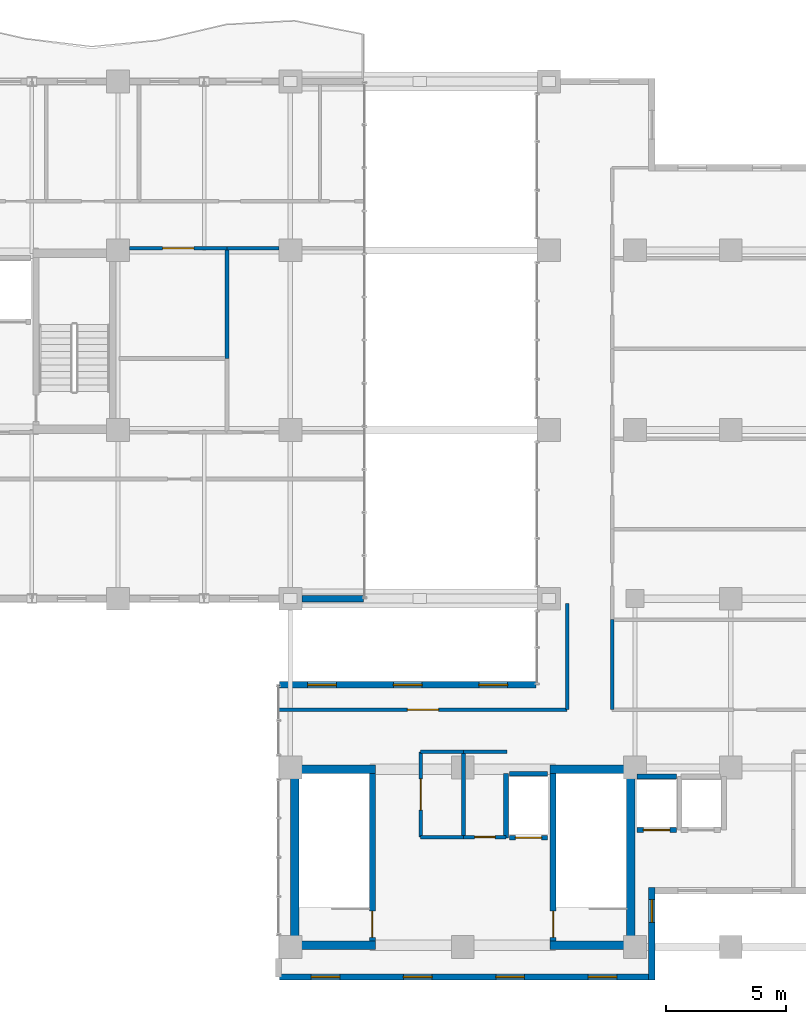
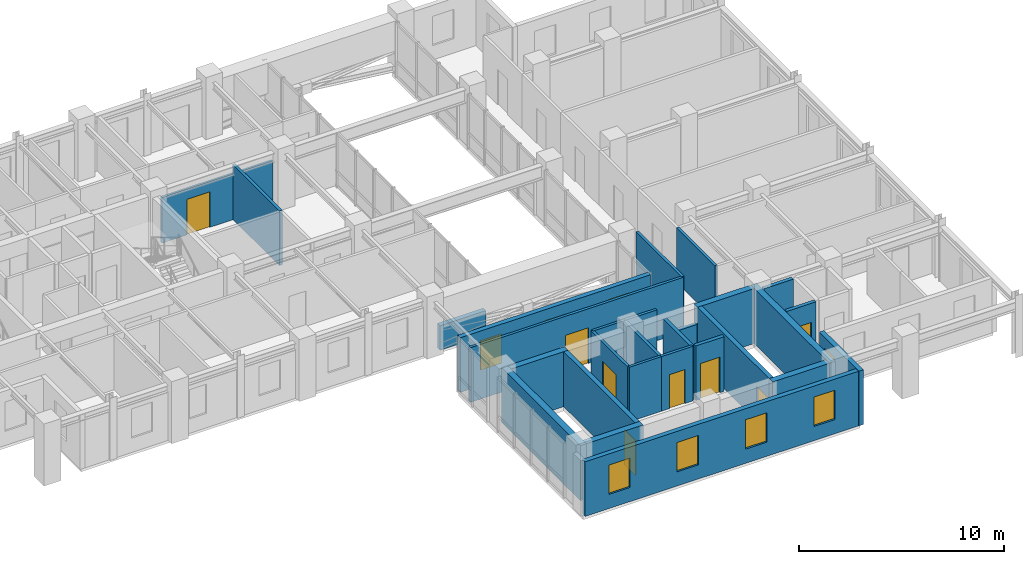
# One storey, part 18 of 23: 29 walls, 8 doors, 8 windows, 16 openings.
"""IFC4 building model written with IfcOpenShell, lengths in metres."""

from ifc_helpers import new_model, si_unit, direction, frame, frame_2d, origin, place, context, subcontext, project, spatial, rectangle, extrude, material, layer, layer_set, type_object, element, fill, save


model = new_model("IFC4")

# Units and contexts
model_context = context("Model", 3, precision=1e-05, world=origin(), true_north=direction((0.0, 1.0)))
body_context = subcontext(model_context, "Body", "Model", "MODEL_VIEW")
ifc_project = project(units=[si_unit("LENGTHUNIT", "METRE"), si_unit("AREAUNIT", "SQUARE_METRE"), si_unit("VOLUMEUNIT", "CUBIC_METRE"), si_unit("PLANEANGLEUNIT", "RADIAN"), si_unit("MASSUNIT", "GRAM", prefix="KILO")], contexts=[model_context])

# Site, building, storey
site_placement = place(None, origin())
site = spatial("IfcSite", under=ifc_project, at=site_placement, CompositionType="ELEMENT")
building_placement = place(site_placement, origin())
building = spatial("IfcBuilding", under=site, at=building_placement, Name="Kaliganga Portal Commons", CompositionType="ELEMENT")
storey_placement = place(building_placement, frame((0.0, 0.0, 246.199951171875)))
storey = spatial("IfcBuildingStorey", under=building, at=storey_placement, Name="L63", CompositionType="ELEMENT", Elevation=246.199951171875)

# Walls
ifc_material_1 = material(Name="Concrete C50/60", Category="concrete")
ifc_layer_1 = layer(ifc_material_1, 0.35009765625)
ifc_layer_set_1 = layer_set([ifc_layer_1], Name="Concrete C50/60")
wall_type_1 = type_object("IfcWallType", Name="WL-CORE-350", PredefinedType="SHEAR", material=ifc_layer_set_1)
for number, where, z_axis, x_axis, name in (
    (1, (36.175048828125, 6.949951171875, 0.0), (0.0, 0.0, 1.0), (0.0, 1.0, 0.0), "Core B West Shear Wall L63"),
    (2, (50.22509765625, 6.949951171875, 0.0), (0.0, 0.0, 1.0), (0.0, 1.0, 0.0), "Core B East Shear Wall L63"),
):
    element("IfcWall", number, at=place(storey_placement, frame(where, z_axis=z_axis, x_axis=x_axis)), inside=storey, type_object=wall_type_1, Name=name, PredefinedType="SHEAR", context=body_context, shape_type="SweptSolid", body=[
        extrude(rectangle(XDim=7.699951171875, YDim=0.35009765625, at=frame_2d((3.85009765625, 0.0))), origin(), (0.0, 0.0, 1.0), 3.280029296875),
    ])
for number, where, z_axis, x_axis, name in (
    (3, (36.35009765625, 7.125, 0.0), (0.0, 0.0, 1.0), (1.0, 0.0, 0.0), "Core B S-West Shear Wall L63"),
    (4, (46.85009765625, 7.125, 0.0), (0.0, 0.0, 1.0), (1.0, 0.0, 0.0), "Core B S-East Shear Wall L63"),
    (5, (36.35009765625, 14.47509765625, 0.0), (0.0, 0.0, 1.0), (1.0, 0.0, 0.0), "Core B N-West Shear Wall L63"),
    (6, (46.85009765625, 14.47509765625, 0.0), (0.0, 0.0, 1.0), (1.0, 0.0, 0.0), "Core B N-East Shear Wall L63"),
):
    element("IfcWall", number, at=place(storey_placement, frame(where, z_axis=z_axis, x_axis=x_axis)), inside=storey, type_object=wall_type_1, Name=name, PredefinedType="SHEAR", context=body_context, shape_type="SweptSolid", body=[
        extrude(rectangle(XDim=3.199951171875, YDim=0.35009765625, at=frame_2d((1.60009765625, 0.0))), origin(), (0.0, 0.0, 1.0), 3.280029296875),
    ])
ifc_material_2 = material(Name="Insulated Aluminium-Clad Spandrel Assembly", Category="aluminium")
ifc_layer_2 = layer(ifc_material_2, 0.260009765625)
ifc_layer_set_2 = layer_set([ifc_layer_2], Name="Insulated Aluminium-Clad Spandrel Assembly")
wall_type_2 = type_object("IfcWallType", Name="WL-EXT-SPAND-260", PredefinedType="STANDARD", material=ifc_layer_set_2)
wall_1_placement = place(storey_placement, frame((39.06298828125, 21.60009765625, 0.0), z_axis=(0.0, 0.0, 1.0), x_axis=(-1.0, 0.0, 0.0)))
element("IfcWall", 7, at=wall_1_placement, inside=storey, type_object=wall_type_2, Name="Exterior Envelope Wall L63 P1-E00-S7", PredefinedType="STANDARD", context=body_context, shape_type="SweptSolid", body=[
    extrude(rectangle(XDim=2.5869140625, YDim=0.260009765625, at=frame_2d((1.29345703125, 0.0))), origin(), (0.0, 0.0, 1.0), 1.4599609375),
])

# Wall, openings, windows
wall_2_placement = place(storey_placement, frame((50.965087890625, 5.800048828125, 0.0), z_axis=(0.0, 0.0, 1.0), x_axis=(-1.0, 0.0, 0.0)))
wall_2 = element("IfcWall", 8, at=wall_2_placement, inside=storey, type_object=wall_type_2, Name="Exterior Envelope Wall L63 P2-E00-S1", PredefinedType="STANDARD", context=body_context, shape_type="SweptSolid", body=[
    extrude(rectangle(XDim=15.427978515625, YDim=0.260009765625, at=frame_2d((7.7138671875, 0.0))), origin(), (0.0, 0.0, 1.0), 3.260009765625),
])
opening_1_placement = place(wall_2_placement, frame((1.32861328125, 0.0, 0.85009765625)))
opening_1 = element("IfcOpeningElement", 9, at=opening_1_placement, cuts=wall_2, Name="Opening W-03", PredefinedType="OPENING", context=body_context, shape_type="SweptSolid", body=[
    extrude(rectangle(XDim=1.199951171875, YDim=1.75, at=frame_2d((0.60009765625, 0.875))), frame((0.0, 0.14013671875, 0.0), z_axis=(0.0, -1.0, 0.0), x_axis=(1.0, 0.0, 0.0)), (0.0, 0.0, 1.0), 0.280029296875),
])
opening_2_placement = place(wall_2_placement, frame((5.185546875, 0.0, 0.85009765625)))
opening_2 = element("IfcOpeningElement", 10, at=opening_2_placement, cuts=wall_2, Name="Opening W-03", PredefinedType="OPENING", context=body_context, shape_type="SweptSolid", body=[
    extrude(rectangle(XDim=1.199951171875, YDim=1.75, at=frame_2d((0.60009765625, 0.875))), frame((0.0, 0.14013671875, 0.0), z_axis=(0.0, -1.0, 0.0), x_axis=(1.0, 0.0, 0.0)), (0.0, 0.0, 1.0), 0.280029296875),
])
opening_3_placement = place(wall_2_placement, frame((9.04248046875, 0.0, 0.85009765625)))
opening_3 = element("IfcOpeningElement", 11, at=opening_3_placement, cuts=wall_2, Name="Opening W-03", PredefinedType="OPENING", context=body_context, shape_type="SweptSolid", body=[
    extrude(rectangle(XDim=1.199951171875, YDim=1.75, at=frame_2d((0.60009765625, 0.875))), frame((0.0, 0.14013671875, 0.0), z_axis=(0.0, -1.0, 0.0), x_axis=(1.0, 0.0, 0.0)), (0.0, 0.0, 1.0), 0.280029296875),
])
opening_4_placement = place(wall_2_placement, frame((12.8994140625, 0.0, 0.85009765625)))
opening_4 = element("IfcOpeningElement", 12, at=opening_4_placement, cuts=wall_2, Name="Opening W-03", PredefinedType="OPENING", context=body_context, shape_type="SweptSolid", body=[
    extrude(rectangle(XDim=1.199951171875, YDim=1.75, at=frame_2d((0.60009765625, 0.875))), frame((0.0, 0.14013671875, 0.0), z_axis=(0.0, -1.0, 0.0), x_axis=(1.0, 0.0, 0.0)), (0.0, 0.0, 1.0), 0.280029296875),
])
ifc_material_3 = material(Name="Thermally Broken Aluminium and Low-E Double Glazing", Category="aluminium")
window_type_1 = type_object("IfcWindowType", Name="WIN-STD-1200", PartitioningType="SINGLE_PANEL", PredefinedType="WINDOW", material=ifc_material_3)
window_1_placement = place(opening_1_placement, origin())
window_1 = element("IfcWindow", 13, at=window_1_placement, inside=storey, type_object=window_type_1, Name="Facade Window L63-P2E00S1-00", OverallHeight=1.75, OverallWidth=1.199951171875, PartitioningType="SINGLE_PANEL", PredefinedType="WINDOW", context=body_context, shape_type="SweptSolid", body=[
    extrude(rectangle(XDim=1.199951171875, YDim=1.75, at=frame_2d((0.60009765625, 0.875))), frame((0.0, 0.030029296875, 0.0), z_axis=(0.0, -1.0, 0.0), x_axis=(1.0, 0.0, 0.0)), (0.0, 0.0, 1.0), 0.06005859375),
])
fill(opening_1, window_1)
window_2_placement = place(opening_2_placement, origin())
window_2 = element("IfcWindow", 14, at=window_2_placement, inside=storey, type_object=window_type_1, Name="Facade Window L63-P2E00S1-01", OverallHeight=1.75, OverallWidth=1.199951171875, PartitioningType="SINGLE_PANEL", PredefinedType="WINDOW", context=body_context, shape_type="SweptSolid", body=[
    extrude(rectangle(XDim=1.199951171875, YDim=1.75, at=frame_2d((0.60009765625, 0.875))), frame((0.0, 0.030029296875, 0.0), z_axis=(0.0, -1.0, 0.0), x_axis=(1.0, 0.0, 0.0)), (0.0, 0.0, 1.0), 0.06005859375),
])
fill(opening_2, window_2)
window_3_placement = place(opening_3_placement, origin())
window_3 = element("IfcWindow", 15, at=window_3_placement, inside=storey, type_object=window_type_1, Name="Facade Window L63-P2E00S1-02", OverallHeight=1.75, OverallWidth=1.199951171875, PartitioningType="SINGLE_PANEL", PredefinedType="WINDOW", context=body_context, shape_type="SweptSolid", body=[
    extrude(rectangle(XDim=1.199951171875, YDim=1.75, at=frame_2d((0.60009765625, 0.875))), frame((0.0, 0.030029296875, 0.0), z_axis=(0.0, -1.0, 0.0), x_axis=(1.0, 0.0, 0.0)), (0.0, 0.0, 1.0), 0.06005859375),
])
fill(opening_3, window_3)
window_4_placement = place(opening_4_placement, origin())
window_4 = element("IfcWindow", 16, at=window_4_placement, inside=storey, type_object=window_type_1, Name="Facade Window L63-P2E00S1-03", OverallHeight=1.75, OverallWidth=1.199951171875, PartitioningType="SINGLE_PANEL", PredefinedType="WINDOW", context=body_context, shape_type="SweptSolid", body=[
    extrude(rectangle(XDim=1.199951171875, YDim=1.75, at=frame_2d((0.60009765625, 0.875))), frame((0.0, 0.030029296875, 0.0), z_axis=(0.0, -1.0, 0.0), x_axis=(1.0, 0.0, 0.0)), (0.0, 0.0, 1.0), 0.06005859375),
])
fill(opening_4, window_4)

# Wall, opening, window
wall_3_placement = place(storey_placement, frame((51.10009765625, 9.530029296875, 0.0), z_axis=(0.0, 0.0, 1.0), x_axis=(0.0, -1.0, 0.0)))
wall_3 = element("IfcWall", 17, at=wall_3_placement, inside=storey, type_object=wall_type_2, Name="Exterior Envelope Wall L63 P2-E01-S1", PredefinedType="STANDARD", context=body_context, shape_type="SweptSolid", body=[
    extrude(rectangle(XDim=3.860107421875, YDim=0.260009765625, at=frame_2d((1.93017578125, 0.0))), origin(), (0.0, 0.0, 1.0), 3.260009765625),
])
opening_5_placement = place(wall_3_placement, frame((0.497802734375, 0.0, 0.85009765625)))
opening_5 = element("IfcOpeningElement", 18, at=opening_5_placement, cuts=wall_3, Name="Opening W-04", PredefinedType="OPENING", context=body_context, shape_type="SweptSolid", body=[
    extrude(rectangle(XDim=0.949951171875, YDim=1.75, at=frame_2d((0.47509765625, 0.875))), frame((0.0, 0.14013671875, 0.0), z_axis=(0.0, -1.0, 0.0), x_axis=(1.0, 0.0, 0.0)), (0.0, 0.0, 1.0), 0.280029296875),
])
window_type_2 = type_object("IfcWindowType", Name="WIN-NARROW-950", PartitioningType="SINGLE_PANEL", PredefinedType="WINDOW", material=ifc_material_3)
window_5_placement = place(opening_5_placement, origin())
window_5 = element("IfcWindow", 19, at=window_5_placement, inside=storey, type_object=window_type_2, Name="Facade Window L63-P2E01S1-N1", OverallHeight=1.75, OverallWidth=0.949951171875, PartitioningType="SINGLE_PANEL", PredefinedType="WINDOW", context=body_context, shape_type="SweptSolid", body=[
    extrude(rectangle(XDim=0.949951171875, YDim=1.75, at=frame_2d((0.47509765625, 0.875))), frame((0.0, 0.030029296875, 0.0), z_axis=(0.0, -1.0, 0.0), x_axis=(1.0, 0.0, 0.0)), (0.0, 0.0, 1.0), 0.06005859375),
])
fill(opening_5, window_5)

# Wall, openings, windows
wall_4_placement = place(storey_placement, frame((35.537109375, 18.0, 0.0), z_axis=(0.0, 0.0, 1.0), x_axis=(1.0, 0.0, 0.0)))
wall_4 = element("IfcWall", 20, at=wall_4_placement, inside=storey, type_object=wall_type_2, Name="Exterior Envelope Wall L63 P2-E08-S1", PredefinedType="STANDARD", context=body_context, shape_type="SweptSolid", body=[
    extrude(rectangle(XDim=10.725830078125, YDim=0.260009765625, at=frame_2d((5.36279296875, 0.0))), origin(), (0.0, 0.0, 1.0), 3.260009765625),
])
opening_6_placement = place(wall_4_placement, frame((1.187744140625, 0.0, 0.85009765625)))
opening_6 = element("IfcOpeningElement", 21, at=opening_6_placement, cuts=wall_4, Name="Opening W-03", PredefinedType="OPENING", context=body_context, shape_type="SweptSolid", body=[
    extrude(rectangle(XDim=1.199951171875, YDim=1.75, at=frame_2d((0.60009765625, 0.875))), frame((0.0, 0.14013671875, 0.0), z_axis=(0.0, -1.0, 0.0), x_axis=(1.0, 0.0, 0.0)), (0.0, 0.0, 1.0), 0.280029296875),
])
opening_7_placement = place(wall_4_placement, frame((4.762939453125, 0.0, 0.85009765625)))
opening_7 = element("IfcOpeningElement", 22, at=opening_7_placement, cuts=wall_4, Name="Opening W-03", PredefinedType="OPENING", context=body_context, shape_type="SweptSolid", body=[
    extrude(rectangle(XDim=1.199951171875, YDim=1.75, at=frame_2d((0.60009765625, 0.875))), frame((0.0, 0.14013671875, 0.0), z_axis=(0.0, -1.0, 0.0), x_axis=(1.0, 0.0, 0.0)), (0.0, 0.0, 1.0), 0.280029296875),
])
opening_8_placement = place(wall_4_placement, frame((8.33837890625, 0.0, 0.85009765625)))
opening_8 = element("IfcOpeningElement", 23, at=opening_8_placement, cuts=wall_4, Name="Opening W-03", PredefinedType="OPENING", context=body_context, shape_type="SweptSolid", body=[
    extrude(rectangle(XDim=1.199951171875, YDim=1.75, at=frame_2d((0.60009765625, 0.875))), frame((0.0, 0.14013671875, 0.0), z_axis=(0.0, -1.0, 0.0), x_axis=(1.0, 0.0, 0.0)), (0.0, 0.0, 1.0), 0.280029296875),
])
window_6_placement = place(opening_6_placement, origin())
window_6 = element("IfcWindow", 24, at=window_6_placement, inside=storey, type_object=window_type_1, Name="Facade Window L63-P2E08S1-00", OverallHeight=1.75, OverallWidth=1.199951171875, PartitioningType="SINGLE_PANEL", PredefinedType="WINDOW", context=body_context, shape_type="SweptSolid", body=[
    extrude(rectangle(XDim=1.199951171875, YDim=1.75, at=frame_2d((0.60009765625, 0.875))), frame((0.0, 0.030029296875, 0.0), z_axis=(0.0, -1.0, 0.0), x_axis=(1.0, 0.0, 0.0)), (0.0, 0.0, 1.0), 0.06005859375),
])
fill(opening_6, window_6)
window_7_placement = place(opening_7_placement, origin())
window_7 = element("IfcWindow", 25, at=window_7_placement, inside=storey, type_object=window_type_1, Name="Facade Window L63-P2E08S1-01", OverallHeight=1.75, OverallWidth=1.199951171875, PartitioningType="SINGLE_PANEL", PredefinedType="WINDOW", context=body_context, shape_type="SweptSolid", body=[
    extrude(rectangle(XDim=1.199951171875, YDim=1.75, at=frame_2d((0.60009765625, 0.875))), frame((0.0, 0.030029296875, 0.0), z_axis=(0.0, -1.0, 0.0), x_axis=(1.0, 0.0, 0.0)), (0.0, 0.0, 1.0), 0.06005859375),
])
fill(opening_7, window_7)
window_8_placement = place(opening_8_placement, origin())
window_8 = element("IfcWindow", 26, at=window_8_placement, inside=storey, type_object=window_type_1, Name="Facade Window L63-P2E08S1-02", OverallHeight=1.75, OverallWidth=1.199951171875, PartitioningType="SINGLE_PANEL", PredefinedType="WINDOW", context=body_context, shape_type="SweptSolid", body=[
    extrude(rectangle(XDim=1.199951171875, YDim=1.75, at=frame_2d((0.60009765625, 0.875))), frame((0.0, 0.030029296875, 0.0), z_axis=(0.0, -1.0, 0.0), x_axis=(1.0, 0.0, 0.0)), (0.0, 0.0, 1.0), 0.06005859375),
])
fill(opening_8, window_8)

# Wall, opening, door
ifc_material_4 = material(Name="Fire-Rated Gypsum Board on Steel Stud", Category="steel")
ifc_layer_3 = layer(ifc_material_4, 0.14990234375)
ifc_layer_set_3 = layer_set([ifc_layer_3], Name="Fire-Rated Gypsum Board on Steel Stud")
wall_type_3 = type_object("IfcWallType", Name="WL-PART-CORR-150", PredefinedType="PARTITIONING", material=ifc_layer_set_3)
wall_5_placement = place(storey_placement, frame((35.52001953125, 16.9599609375, 0.0), z_axis=(0.0, 0.0, 1.0), x_axis=(1.0, 0.0, 0.0)))
wall_5 = element("IfcWall", 27, at=wall_5_placement, inside=storey, type_object=wall_type_3, Name="Interior Partition L63-003", PredefinedType="PARTITIONING", context=body_context, shape_type="SweptSolid", body=[
    extrude(rectangle(XDim=12.0400390625, YDim=0.14990234375, at=frame_2d((6.02001953125, 0.0))), origin(), (0.0, 0.0, 1.0), 3.260009765625),
])
opening_9_placement = place(wall_5_placement, frame((5.3701171875, 0.0, 0.0)))
opening_9 = element("IfcOpeningElement", 28, at=opening_9_placement, cuts=wall_5, Name="Opening RD-03", PredefinedType="OPENING", context=body_context, shape_type="SweptSolid", body=[
    extrude(rectangle(XDim=1.300048828125, YDim=2.1201171875, at=frame_2d((0.64990234375, 1.06005859375))), frame((0.0, 0.0849609375, 0.0), z_axis=(0.0, -1.0, 0.0), x_axis=(1.0, 0.0, 0.0)), (0.0, 0.0, 1.0), 0.169921875),
])
ifc_material_5 = material(Name="Glazed Timber Seminar Vision Door", Category="wood")
door_type_1 = type_object("IfcDoorType", Name="DR-STUDY-1300", OperationType="DOUBLE_DOOR_SINGLE_SWING", PredefinedType="DOOR", material=ifc_material_5)
door_1_placement = place(opening_9_placement, origin())
door_1 = element("IfcDoor", 29, at=door_1_placement, inside=storey, type_object=door_type_1, Name="Interior Door L63-BPW01", OperationType="DOUBLE_DOOR_SINGLE_SWING", OverallHeight=2.1201171875, OverallWidth=1.300048828125, PredefinedType="DOOR", context=body_context, shape_type="SweptSolid", body=[
    extrude(rectangle(XDim=1.300048828125, YDim=2.1201171875, at=frame_2d((0.64990234375, 1.06005859375))), frame((0.0, 0.02490234375, 0.0), z_axis=(0.0, -1.0, 0.0), x_axis=(1.0, 0.0, 0.0)), (0.0, 0.0, 1.0), 0.050048828125),
])
fill(opening_9, door_1)

# Wall
wall_6_placement = place(storey_placement, frame((33.360107421875, 36.239990234375, 0.0), z_axis=(0.0, 0.0, 1.0), x_axis=(1.0, 0.0, 0.0)))
element("IfcWall", 30, at=wall_6_placement, inside=storey, type_object=wall_type_3, Name="Interior Partition L63-008", PredefinedType="PARTITIONING", context=body_context, shape_type="SweptSolid", body=[
    extrude(rectangle(XDim=2.164794921875, YDim=0.14990234375, at=frame_2d((1.08251953125, 0.0))), origin(), (0.0, 0.0, 1.0), 2.7099609375),
])

# Wall, opening, door
wall_7_placement = place(storey_placement, frame((29.27490234375, 36.239990234375, 0.0), z_axis=(0.0, 0.0, 1.0), x_axis=(1.0, 0.0, 0.0)))
wall_7 = element("IfcWall", 31, at=wall_7_placement, inside=storey, type_object=wall_type_3, Name="Interior Partition L63-011", PredefinedType="PARTITIONING", context=body_context, shape_type="SweptSolid", body=[
    extrude(rectangle(XDim=4.085205078125, YDim=0.14990234375, at=frame_2d((2.04248046875, 0.0))), origin(), (0.0, 0.0, 1.0), 2.7099609375),
])
opening_10_placement = place(wall_7_placement, frame((1.392578125, 0.0, 0.0)))
opening_10 = element("IfcOpeningElement", 32, at=opening_10_placement, cuts=wall_7, Name="Opening RD-03", PredefinedType="OPENING", context=body_context, shape_type="SweptSolid", body=[
    extrude(rectangle(XDim=1.300048828125, YDim=2.1201171875, at=frame_2d((0.64990234375, 1.06005859375))), frame((0.0, 0.0849609375, 0.0), z_axis=(0.0, -1.0, 0.0), x_axis=(1.0, 0.0, 0.0)), (0.0, 0.0, 1.0), 0.169921875),
])
door_2_placement = place(opening_10_placement, origin())
door_2 = element("IfcDoor", 33, at=door_2_placement, inside=storey, type_object=door_type_1, Name="Interior Door L63-CSRV_A2", OperationType="DOUBLE_DOOR_SINGLE_SWING", OverallHeight=2.1201171875, OverallWidth=1.300048828125, PredefinedType="DOOR", context=body_context, shape_type="SweptSolid", body=[
    extrude(rectangle(XDim=1.300048828125, YDim=2.1201171875, at=frame_2d((0.64990234375, 1.06005859375))), frame((0.0, 0.02490234375, 0.0), z_axis=(0.0, -1.0, 0.0), x_axis=(1.0, 0.0, 0.0)), (0.0, 0.0, 1.0), 0.050048828125),
])
fill(opening_10, door_2)

# Walls
wall_8_placement = place(storey_placement, frame((47.56005859375, 16.9599609375, 0.0), z_axis=(0.0, 0.0, 1.0), x_axis=(0.0, 1.0, 0.0)))
element("IfcWall", 34, at=wall_8_placement, inside=storey, type_object=wall_type_3, Name="Interior Partition L63-012", PredefinedType="PARTITIONING", context=body_context, shape_type="SweptSolid", body=[
    extrude(rectangle(XDim=4.43994140625, YDim=0.14990234375, at=frame_2d((2.219970703125, 0.0))), origin(), (0.0, 0.0, 1.0), 3.260009765625),
])
wall_9_placement = place(storey_placement, frame((49.43994140625, 16.9599609375, 0.0), z_axis=(0.0, 0.0, 1.0), x_axis=(0.0, 1.0, 0.0)))
element("IfcWall", 35, at=wall_9_placement, inside=storey, type_object=wall_type_3, Name="Interior Partition L63-018", PredefinedType="PARTITIONING", context=body_context, shape_type="SweptSolid", body=[
    extrude(rectangle(XDim=3.760009765625, YDim=0.14990234375, at=frame_2d((1.8798828125, 0.0))), origin(), (0.0, 0.0, 1.0), 3.260009765625),
])

# Wall, opening, door
wall_10_placement = place(storey_placement, frame((41.43994140625, 11.639892578125, 0.0), z_axis=(0.0, 0.0, 1.0), x_axis=(0.0, 1.0, 0.0)))
wall_10 = element("IfcWall", 36, at=wall_10_placement, inside=storey, type_object=wall_type_3, Name="Interior Partition L63-022", PredefinedType="PARTITIONING", context=body_context, shape_type="SweptSolid", body=[
    extrude(rectangle(XDim=3.56005859375, YDim=0.14990234375, at=frame_2d((1.780029296875, 0.0))), origin(), (0.0, 0.0, 1.0), 3.260009765625),
])
opening_11_placement = place(wall_10_placement, frame((1.1298828125, 0.0, 0.0)))
opening_11 = element("IfcOpeningElement", 37, at=opening_11_placement, cuts=wall_10, Name="Opening RD-03", PredefinedType="OPENING", context=body_context, shape_type="SweptSolid", body=[
    extrude(rectangle(XDim=1.300048828125, YDim=2.1201171875, at=frame_2d((0.64990234375, 1.06005859375))), frame((0.0, 0.0849609375, 0.0), z_axis=(0.0, -1.0, 0.0), x_axis=(1.0, 0.0, 0.0)), (0.0, 0.0, 1.0), 0.169921875),
])
door_3_placement = place(opening_11_placement, origin())
door_3 = element("IfcDoor", 38, at=door_3_placement, inside=storey, type_object=door_type_1, Name="Interior Door L63-CREC_B1", OperationType="DOUBLE_DOOR_SINGLE_SWING", OverallHeight=2.1201171875, OverallWidth=1.300048828125, PredefinedType="DOOR", context=body_context, shape_type="SweptSolid", body=[
    extrude(rectangle(XDim=1.300048828125, YDim=2.1201171875, at=frame_2d((0.64990234375, 1.06005859375))), frame((0.0, 0.02490234375, 0.0), z_axis=(0.0, -1.0, 0.0), x_axis=(1.0, 0.0, 0.0)), (0.0, 0.0, 1.0), 0.050048828125),
])
fill(opening_11, door_3)

# Walls
for number, where, z_axis, x_axis, name in (
    (39, (41.43994140625, 11.639892578125, 0.0), (0.0, 0.0, 1.0), (1.0, 0.0, 0.0), "Interior Partition L63-036"),
    (40, (41.43994140625, 15.199951171875, 0.0), (0.0, 0.0, 1.0), (1.0, 0.0, 0.0), "Interior Partition L63-037"),
):
    element("IfcWall", number, at=place(storey_placement, frame(where, z_axis=z_axis, x_axis=x_axis)), inside=storey, type_object=wall_type_3, Name=name, PredefinedType="PARTITIONING", context=body_context, shape_type="SweptSolid", body=[
        extrude(rectangle(XDim=1.800048828125, YDim=0.14990234375, at=frame_2d((0.89990234375, 0.0))), origin(), (0.0, 0.0, 1.0), 3.260009765625),
    ])

# Wall, opening, door
wall_11_placement = place(storey_placement, frame((43.239990234375, 11.639892578125, 0.0), z_axis=(0.0, 0.0, 1.0), x_axis=(1.0, 0.0, 0.0)))
wall_11 = element("IfcWall", 41, at=wall_11_placement, inside=storey, type_object=wall_type_3, Name="Interior Partition L63-038", PredefinedType="PARTITIONING", context=body_context, shape_type="SweptSolid", body=[
    extrude(rectangle(XDim=1.77001953125, YDim=0.14990234375, at=frame_2d((0.885009765625, 0.0))), origin(), (0.0, 0.0, 1.0), 3.260009765625),
])
opening_12_placement = place(wall_11_placement, frame((0.455078125, 0.0, 0.0)))
opening_12 = element("IfcOpeningElement", 42, at=opening_12_placement, cuts=wall_11, Name="Opening WD-02", PredefinedType="OPENING", context=body_context, shape_type="SweptSolid", body=[
    extrude(rectangle(XDim=0.860107421875, YDim=2.02001953125, at=frame_2d((0.43017578125, 1.010009765625))), frame((0.0, 0.0849609375, 0.0), z_axis=(0.0, -1.0, 0.0), x_axis=(1.0, 0.0, 0.0)), (0.0, 0.0, 1.0), 0.169921875),
])
ifc_material_6 = material(Name="Fire-Rated Utility Closet Door", Category="wood")
door_type_2 = type_object("IfcDoorType", Name="DR-STORE-800", OperationType="NOTDEFINED", PredefinedType="DOOR", material=ifc_material_6)
door_4_placement = place(opening_12_placement, origin())
door_4 = element("IfcDoor", 43, at=door_4_placement, inside=storey, type_object=door_type_2, Name="Interior Door L63-CREC_B2", OperationType="SINGLE_SWING_LEFT", OverallHeight=2.02001953125, OverallWidth=0.860107421875, PredefinedType="DOOR", context=body_context, shape_type="SweptSolid", body=[
    extrude(rectangle(XDim=0.860107421875, YDim=2.02001953125, at=frame_2d((0.43017578125, 1.010009765625))), frame((0.0, 0.02490234375, 0.0), z_axis=(0.0, -1.0, 0.0), x_axis=(1.0, 0.0, 0.0)), (0.0, 0.0, 1.0), 0.050048828125),
])
fill(opening_12, door_4)

# Walls
wall_12_placement = place(storey_placement, frame((43.239990234375, 15.199951171875, 0.0), z_axis=(0.0, 0.0, 1.0), x_axis=(1.0, 0.0, 0.0)))
element("IfcWall", 44, at=wall_12_placement, inside=storey, type_object=wall_type_3, Name="Interior Partition L63-039", PredefinedType="PARTITIONING", context=body_context, shape_type="SweptSolid", body=[
    extrude(rectangle(XDim=1.800048828125, YDim=0.14990234375, at=frame_2d((0.89990234375, 0.0))), origin(), (0.0, 0.0, 1.0), 3.260009765625),
])
ifc_material_7 = material(Name="Twin-Stud Acoustic Gypsum Partition", Category="gypsum")
ifc_layer_4 = layer(ifc_material_7, 0.1650390625)
ifc_layer_set_4 = layer_set([ifc_layer_4], Name="Twin-Stud Acoustic Gypsum Partition")
wall_type_4 = type_object("IfcWallType", Name="WL-PART-UNIT-165", PredefinedType="PARTITIONING", material=ifc_layer_set_4)
wall_13_placement = place(storey_placement, frame((33.360107421875, 31.639892578125, 0.0), z_axis=(0.0, 0.0, 1.0), x_axis=(0.0, 1.0, 0.0)))
element("IfcWall", 45, at=wall_13_placement, inside=storey, type_object=wall_type_4, Name="Interior Partition L63-055", PredefinedType="PARTITIONING", context=body_context, shape_type="SweptSolid", body=[
    extrude(rectangle(XDim=4.60009765625, YDim=0.1650390625, at=frame_2d((2.300048828125, 0.0))), origin(), (0.0, 0.0, 1.0), 3.260009765625),
])
wall_14_placement = place(storey_placement, frame((43.239990234375, 11.639892578125, 0.0), z_axis=(0.0, 0.0, 1.0), x_axis=(0.0, 1.0, 0.0)))
element("IfcWall", 46, at=wall_14_placement, inside=storey, type_object=wall_type_4, Name="Interior Partition L63-057", PredefinedType="PARTITIONING", context=body_context, shape_type="SweptSolid", body=[
    extrude(rectangle(XDim=3.56005859375, YDim=0.1650390625, at=frame_2d((1.780029296875, 0.0))), origin(), (0.0, 0.0, 1.0), 3.260009765625),
])

# Wall, opening, door
ifc_material_8 = material(Name="Fire-Rated Shaftwall Masonry Assembly", Category="masonry")
ifc_layer_5 = layer(ifc_material_8, 0.199951171875)
ifc_layer_set_5 = layer_set([ifc_layer_5], Name="Fire-Rated Shaftwall Masonry Assembly")
wall_type_5 = type_object("IfcWallType", Name="WL-SHAFT-200", PredefinedType="PARTITIONING", material=ifc_layer_set_5)
wall_15_placement = place(storey_placement, frame((50.47509765625, 11.93505859375, 0.0), z_axis=(0.0, 0.0, 1.0), x_axis=(1.0, 0.0, 0.0)))
wall_15 = element("IfcWall", 47, at=wall_15_placement, inside=storey, type_object=wall_type_5, Name="Lift PL-B3 Hoistway Shaft Wall L63-S", PredefinedType="PARTITIONING", context=body_context, shape_type="SweptSolid", body=[
    extrude(rectangle(XDim=1.64990234375, YDim=0.199951171875, at=frame_2d((0.824951171875, 0.0))), origin(), (0.0, 0.0, 1.0), 3.260009765625),
])
opening_13_placement = place(wall_15_placement, frame((0.27490234375, 0.0, 0.0)))
opening_13 = element("IfcOpeningElement", 48, at=opening_13_placement, cuts=wall_15, Name="Opening LD-01", PredefinedType="OPENING", context=body_context, shape_type="SweptSolid", body=[
    extrude(rectangle(XDim=1.10009765625, YDim=2.1201171875, at=frame_2d((0.550048828125, 1.06005859375))), frame((0.0, 0.10986328125, 0.0), z_axis=(0.0, -1.0, 0.0), x_axis=(1.0, 0.0, 0.0)), (0.0, 0.0, 1.0), 0.219970703125),
])
ifc_material_9 = material(Name="Brushed Stainless Steel 316 Lift Landing Door", Category="steel")
door_type_3 = type_object("IfcDoorType", Name="DR-LIFT-1100", OperationType="SLIDING_TO_LEFT", PredefinedType="DOOR", material=ifc_material_9)
door_5_placement = place(opening_13_placement, origin())
door_5 = element("IfcDoor", 49, at=door_5_placement, inside=storey, type_object=door_type_3, Name="Lift PL-B3 Sliding Landing Door L63", OperationType="SLIDING_TO_LEFT", OverallHeight=2.1201171875, OverallWidth=1.10009765625, PredefinedType="DOOR", context=body_context, shape_type="SweptSolid", body=[
    extrude(rectangle(XDim=1.10009765625, YDim=2.1201171875, at=frame_2d((0.550048828125, 1.06005859375))), frame((0.0, 0.02490234375, 0.0), z_axis=(0.0, -1.0, 0.0), x_axis=(1.0, 0.0, 0.0)), (0.0, 0.0, 1.0), 0.050048828125),
])
fill(opening_13, door_5)

# Wall
wall_16_placement = place(storey_placement, frame((50.47509765625, 14.1650390625, 0.0), z_axis=(0.0, 0.0, 1.0), x_axis=(1.0, 0.0, 0.0)))
element("IfcWall", 50, at=wall_16_placement, inside=storey, type_object=wall_type_5, Name="Lift PL-B3 Hoistway Shaft Wall L63-N", PredefinedType="PARTITIONING", context=body_context, shape_type="SweptSolid", body=[
    extrude(rectangle(XDim=1.64990234375, YDim=0.199951171875, at=frame_2d((0.824951171875, 0.0))), origin(), (0.0, 0.0, 1.0), 3.260009765625),
])

# Wall, opening, door
wall_17_placement = place(storey_placement, frame((45.14990234375, 11.610107421875, 0.0), z_axis=(0.0, 0.0, 1.0), x_axis=(1.0, 0.0, 0.0)))
wall_17 = element("IfcWall", 51, at=wall_17_placement, inside=storey, type_object=wall_type_5, Name="Lift SL-B1 Hoistway Shaft Wall L63-S", PredefinedType="PARTITIONING", context=body_context, shape_type="SweptSolid", body=[
    extrude(rectangle(XDim=1.60009765625, YDim=0.199951171875, at=frame_2d((0.800048828125, 0.0))), origin(), (0.0, 0.0, 1.0), 3.260009765625),
])
opening_14_placement = place(wall_17_placement, frame((0.25, 0.0, 0.0)))
opening_14 = element("IfcOpeningElement", 52, at=opening_14_placement, cuts=wall_17, Name="Opening LD-01", PredefinedType="OPENING", context=body_context, shape_type="SweptSolid", body=[
    extrude(rectangle(XDim=1.10009765625, YDim=2.1201171875, at=frame_2d((0.550048828125, 1.06005859375))), frame((0.0, 0.10986328125, 0.0), z_axis=(0.0, -1.0, 0.0), x_axis=(1.0, 0.0, 0.0)), (0.0, 0.0, 1.0), 0.219970703125),
])
door_6_placement = place(opening_14_placement, origin())
door_6 = element("IfcDoor", 53, at=door_6_placement, inside=storey, type_object=door_type_3, Name="Lift SL-B1 Sliding Landing Door L63", OperationType="SLIDING_TO_LEFT", OverallHeight=2.1201171875, OverallWidth=1.10009765625, PredefinedType="DOOR", context=body_context, shape_type="SweptSolid", body=[
    extrude(rectangle(XDim=1.10009765625, YDim=2.1201171875, at=frame_2d((0.550048828125, 1.06005859375))), frame((0.0, 0.02490234375, 0.0), z_axis=(0.0, -1.0, 0.0), x_axis=(1.0, 0.0, 0.0)), (0.0, 0.0, 1.0), 0.050048828125),
])
fill(opening_14, door_6)

# Walls
wall_18_placement = place(storey_placement, frame((45.14990234375, 14.2900390625, 0.0), z_axis=(0.0, 0.0, 1.0), x_axis=(1.0, 0.0, 0.0)))
element("IfcWall", 54, at=wall_18_placement, inside=storey, type_object=wall_type_5, Name="Lift SL-B1 Hoistway Shaft Wall L63-N", PredefinedType="PARTITIONING", context=body_context, shape_type="SweptSolid", body=[
    extrude(rectangle(XDim=1.60009765625, YDim=0.199951171875, at=frame_2d((0.800048828125, 0.0))), origin(), (0.0, 0.0, 1.0), 2.360107421875),
])
wall_19_placement = place(storey_placement, frame((45.010009765625, 11.610107421875, 0.0), z_axis=(0.0, 0.0, 1.0), x_axis=(0.0, 1.0, 0.0)))
element("IfcWall", 55, at=wall_19_placement, inside=storey, type_object=wall_type_5, Name="Lift SL-B1 Hoistway Shaft Wall L63-W", PredefinedType="PARTITIONING", context=body_context, shape_type="SweptSolid", body=[
    extrude(rectangle(XDim=2.679931640625, YDim=0.199951171875, at=frame_2d((1.33984375, 0.0))), origin(), (0.0, 0.0, 1.0), 3.260009765625),
])

# Wall, opening, door
ifc_layer_6 = layer(ifc_material_1, 0.25)
ifc_layer_set_6 = layer_set([ifc_layer_6], Name="Concrete C50/60")
wall_type_6 = type_object("IfcWallType", Name="WL-STAIR-250", PredefinedType="SHEAR", material=ifc_layer_set_6)
wall_20_placement = place(storey_placement, frame((39.425048828125, 7.300048828125, 0.0), z_axis=(0.0, 0.0, 1.0), x_axis=(0.0, 1.0, 0.0)))
wall_20 = element("IfcWall", 56, at=wall_20_placement, inside=storey, type_object=wall_type_6, Name="Stair B1 Enclosure Shear Wall L63", PredefinedType="SHEAR", context=body_context, shape_type="SweptSolid", body=[
    extrude(rectangle(XDim=7.0, YDim=0.25, at=frame_2d((3.5, 0.0))), origin(), (0.0, 0.0, 1.0), 3.280029296875),
])
opening_15_placement = place(wall_20_placement, frame((0.14990234375, 0.0, 0.0)))
opening_15 = element("IfcOpeningElement", 57, at=opening_15_placement, cuts=wall_20, Name="Opening SD-01", PredefinedType="OPENING", context=body_context, shape_type="SweptSolid", body=[
    extrude(rectangle(XDim=1.10009765625, YDim=2.080078125, at=frame_2d((0.550048828125, 1.0400390625))), frame((0.0, 0.135009765625, 0.0), z_axis=(0.0, -1.0, 0.0), x_axis=(1.0, 0.0, 0.0)), (0.0, 0.0, 1.0), 0.27001953125),
])
ifc_material_10 = material(Name="Galvanized Steel Fire Door Leaf and Frame", Category="steel")
door_type_4 = type_object("IfcDoorType", Name="DR-STAIR-1100", OperationType="NOTDEFINED", PredefinedType="DOOR", material=ifc_material_10)
door_7_placement = place(opening_15_placement, origin())
door_7 = element("IfcDoor", 58, at=door_7_placement, inside=storey, type_object=door_type_4, Name="Protected Stair ST-B1 Fire Door L63", OperationType="SINGLE_SWING_LEFT", OverallHeight=2.080078125, OverallWidth=1.10009765625, PredefinedType="DOOR", context=body_context, shape_type="SweptSolid", body=[
    extrude(rectangle(XDim=1.10009765625, YDim=2.080078125, at=frame_2d((0.550048828125, 1.0400390625))), frame((0.0, 0.02490234375, 0.0), z_axis=(0.0, -1.0, 0.0), x_axis=(1.0, 0.0, 0.0)), (0.0, 0.0, 1.0), 0.050048828125),
])
fill(opening_15, door_7)

wall_21_placement = place(storey_placement, frame((46.97509765625, 7.300048828125, 0.0), z_axis=(0.0, 0.0, 1.0), x_axis=(0.0, 1.0, 0.0)))
wall_21 = element("IfcWall", 59, at=wall_21_placement, inside=storey, type_object=wall_type_6, Name="Stair B2 Enclosure Shear Wall L63", PredefinedType="SHEAR", context=body_context, shape_type="SweptSolid", body=[
    extrude(rectangle(XDim=7.0, YDim=0.25, at=frame_2d((3.5, 0.0))), origin(), (0.0, 0.0, 1.0), 3.280029296875),
])
opening_16_placement = place(wall_21_placement, frame((0.14990234375, 0.0, 0.0)))
opening_16 = element("IfcOpeningElement", 60, at=opening_16_placement, cuts=wall_21, Name="Opening SD-01", PredefinedType="OPENING", context=body_context, shape_type="SweptSolid", body=[
    extrude(rectangle(XDim=1.10009765625, YDim=2.080078125, at=frame_2d((0.550048828125, 1.0400390625))), frame((0.0, 0.135009765625, 0.0), z_axis=(0.0, -1.0, 0.0), x_axis=(1.0, 0.0, 0.0)), (0.0, 0.0, 1.0), 0.27001953125),
])
door_8_placement = place(opening_16_placement, origin())
door_8 = element("IfcDoor", 61, at=door_8_placement, inside=storey, type_object=door_type_4, Name="Protected Stair ST-B2 Fire Door L63", OperationType="SINGLE_SWING_RIGHT", OverallHeight=2.080078125, OverallWidth=1.10009765625, PredefinedType="DOOR", context=body_context, shape_type="SweptSolid", body=[
    extrude(rectangle(XDim=1.10009765625, YDim=2.080078125, at=frame_2d((0.550048828125, 1.0400390625))), frame((0.0, 0.02490234375, 0.0), z_axis=(0.0, -1.0, 0.0), x_axis=(1.0, 0.0, 0.0)), (0.0, 0.0, 1.0), 0.050048828125),
])
fill(opening_16, door_8)

save(model, "model.ifc")
